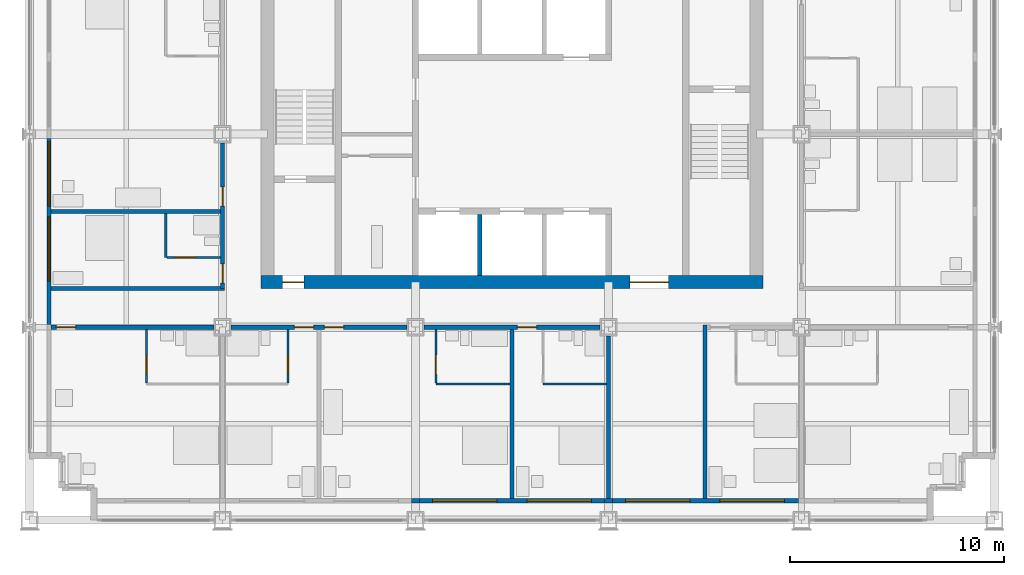
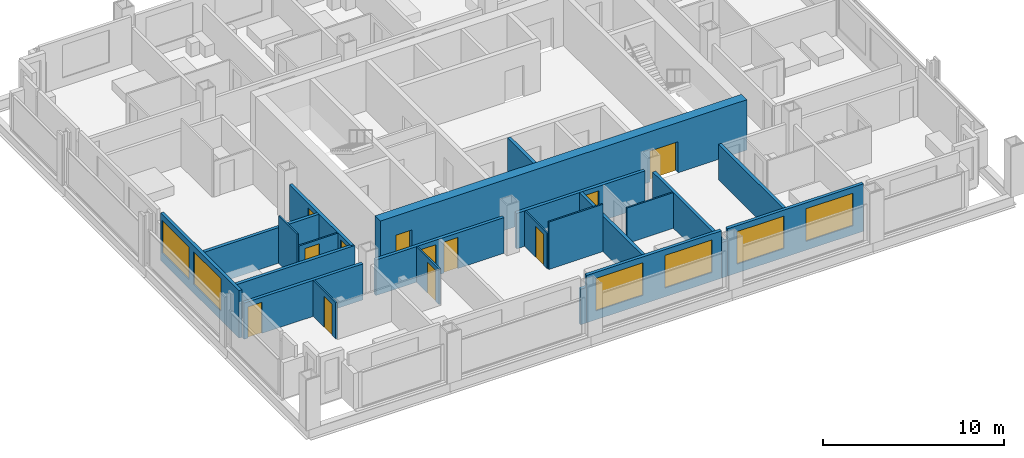
# One storey, part 9 of 16: 23 walls, 12 doors, 6 windows, 18 openings.
"""IFC4 building model written with IfcOpenShell, lengths in metres."""

from ifc_helpers import new_model, si_unit, direction, frame, frame_2d, origin, place, context, subcontext, project, spatial, rectangle, extrude, material, layer, layer_set, type_object, element, fill, save


model = new_model("IFC4")

# Units and contexts
model_context = context("Model", 3, precision=1e-05, world=origin(), true_north=direction((0.0, 1.0)))
body_context = subcontext(model_context, "Body", "Model", "MODEL_VIEW")
ifc_project = project(units=[si_unit("LENGTHUNIT", "METRE"), si_unit("AREAUNIT", "SQUARE_METRE"), si_unit("VOLUMEUNIT", "CUBIC_METRE"), si_unit("PLANEANGLEUNIT", "RADIAN"), si_unit("MASSUNIT", "GRAM", prefix="KILO")], contexts=[model_context])

# Site, building, storey
site_placement = place(None, origin())
site = spatial("IfcSite", under=ifc_project, at=site_placement, CompositionType="ELEMENT")
building_placement = place(site_placement, origin())
building = spatial("IfcBuilding", under=site, at=building_placement, Name="Loomwork Tower", CompositionType="ELEMENT")
storey_placement = place(building_placement, frame((0.0, 0.0, 101.0)))
storey = spatial("IfcBuildingStorey", under=building, at=storey_placement, Name="L26", CompositionType="ELEMENT", Elevation=101.0)

# Wall, openings, doors
ifc_material_1 = material(Name="Concrete 14000 psi (97 MPa)", Category="concrete")
ifc_layer_1 = layer(ifc_material_1, 0.60009765625)
ifc_layer_set_1 = layer_set([ifc_layer_1], Name="Core shear wall 600")
wall_type_1 = type_object("IfcWallType", Name="Core shear wall 600", PredefinedType="SHEAR", material=ifc_layer_set_1)
wall_1_placement = place(storey_placement, frame((10.800048828125, 11.10009765625, 0.0), z_axis=(0.0, 0.0, 1.0), x_axis=(1.0, 0.0, 0.0)))
wall_1 = element("IfcWall", 1, at=wall_1_placement, inside=storey, type_object=wall_type_1, Name="Core wall south L26", PredefinedType="SHEAR", context=body_context, shape_type="SweptSolid", body=[
    extrude(rectangle(XDim=23.39990234375, YDim=0.60009765625, at=frame_2d((11.699951171875, 0.0))), origin(), (0.0, 0.0, 1.0), 3.39990234375),
])
opening_1_placement = place(wall_1_placement, frame((1.0, 0.0, 0.0)))
opening_1 = element("IfcOpeningElement", 2, at=opening_1_placement, cuts=wall_1, Name="Opening D4", PredefinedType="OPENING", context=body_context, shape_type="SweptSolid", body=[
    extrude(rectangle(XDim=1.0, YDim=2.10009765625, at=frame_2d((0.5, 1.050048828125))), frame((0.0, 0.31005859375, 0.0), z_axis=(0.0, -1.0, 0.0), x_axis=(1.0, 0.0, 0.0)), (0.0, 0.0, 1.0), 0.6201171875),
])
opening_2_placement = place(wall_1_placement, frame((17.199951171875, 0.0, 0.0)))
opening_2 = element("IfcOpeningElement", 3, at=opening_2_placement, cuts=wall_1, Name="Opening D6", PredefinedType="OPENING", context=body_context, shape_type="SweptSolid", body=[
    extrude(rectangle(XDim=1.800048828125, YDim=2.10009765625, at=frame_2d((0.89990234375, 1.050048828125))), frame((0.0, 0.31005859375, 0.0), z_axis=(0.0, -1.0, 0.0), x_axis=(1.0, 0.0, 0.0)), (0.0, 0.0, 1.0), 0.6201171875),
])
ifc_material_2 = material(Name="Hollow metal door and frame")
door_type_1 = type_object("IfcDoorType", Name="Lobby passage double door 1800", OperationType="DOUBLE_DOOR_SINGLE_SWING", PredefinedType="DOOR", material=ifc_material_2)
door_1_placement = place(opening_2_placement, origin())
door_1 = element("IfcDoor", 4, at=door_1_placement, inside=storey, type_object=door_type_1, Name="Lobby passage door south", OperationType="DOUBLE_DOOR_SINGLE_SWING", OverallHeight=2.10009765625, OverallWidth=1.800048828125, PredefinedType="DOOR", context=body_context, shape_type="SweptSolid", body=[
    extrude(rectangle(XDim=1.800048828125, YDim=2.10009765625, at=frame_2d((0.89990234375, 1.050048828125))), frame((0.0, 0.02490234375, 0.0), z_axis=(0.0, -1.0, 0.0), x_axis=(1.0, 0.0, 0.0)), (0.0, 0.0, 1.0), 0.050048828125),
])
fill(opening_2, door_1)
ifc_material_3 = material(Name="Hollow metal door and frame")
door_type_2 = type_object("IfcDoorType", Name="Stair door 1000", OperationType="SINGLE_SWING_RIGHT", PredefinedType="DOOR", material=ifc_material_3)
door_2_placement = place(opening_1_placement, origin())
door_2 = element("IfcDoor", 5, at=door_2_placement, inside=storey, type_object=door_type_2, Name="Stair A vestibule door", OperationType="SINGLE_SWING_LEFT", OverallHeight=2.10009765625, OverallWidth=1.0, PredefinedType="DOOR", context=body_context, shape_type="SweptSolid", body=[
    extrude(rectangle(XDim=1.0, YDim=2.10009765625, at=frame_2d((0.5, 1.050048828125))), frame((0.0, 0.02490234375, 0.0), z_axis=(0.0, -1.0, 0.0), x_axis=(1.0, 0.0, 0.0)), (0.0, 0.0, 1.0), 0.050048828125),
])
fill(opening_1, door_2)

# Wall, opening, door
ifc_material_4 = material(Name="Gypsum board on steel studs, one-hour", Category="steel")
ifc_layer_2 = layer(ifc_material_4, 0.199951171875)
ifc_layer_set_2 = layer_set([ifc_layer_2], Name="Corridor wall 200")
wall_type_2 = type_object("IfcWallType", Name="Corridor wall 200", PredefinedType="PARTITIONING", material=ifc_layer_set_2)
wall_2_placement = place(storey_placement, frame((1.0, 9.0, 0.0), z_axis=(0.0, 0.0, 1.0), x_axis=(1.0, 0.0, 0.0)))
wall_2 = element("IfcWall", 6, at=wall_2_placement, inside=storey, type_object=wall_type_2, Name="South corridor wall 1", PredefinedType="PARTITIONING", context=body_context, shape_type="SweptSolid", body=[
    extrude(rectangle(XDim=7.60009765625, YDim=0.199951171875, at=frame_2d((3.800048828125, 0.0))), origin(), (0.0, 0.0, 1.0), 2.43798828125),
])
opening_3_placement = place(wall_2_placement, frame((0.25, 0.0, 0.0)))
opening_3 = element("IfcOpeningElement", 7, at=opening_3_placement, cuts=wall_2, Name="Opening D1", PredefinedType="OPENING", context=body_context, shape_type="SweptSolid", body=[
    extrude(rectangle(XDim=0.89990234375, YDim=2.10009765625, at=frame_2d((0.449951171875, 1.050048828125))), frame((0.0, 0.10986328125, 0.0), z_axis=(0.0, -1.0, 0.0), x_axis=(1.0, 0.0, 0.0)), (0.0, 0.0, 1.0), 0.219970703125),
])
ifc_material_5 = material(Name="Hollow metal door and frame")
door_type_3 = type_object("IfcDoorType", Name="Guest room entry door 900", OperationType="SINGLE_SWING_LEFT", PredefinedType="DOOR", material=ifc_material_5)
door_3_placement = place(opening_3_placement, frame((0.89990234375, 0.0, 0.0), z_axis=(0.0, 0.0, 1.0), x_axis=(-1.0, 0.0, 0.0)))
door_3 = element("IfcDoor", 8, at=door_3_placement, inside=storey, type_object=door_type_3, Name="Guest room entry door L26 1", OperationType="SINGLE_SWING_RIGHT", OverallHeight=2.10009765625, OverallWidth=0.89990234375, PredefinedType="DOOR", context=body_context, shape_type="SweptSolid", body=[
    extrude(rectangle(XDim=0.89990234375, YDim=2.10009765625, at=frame_2d((0.449951171875, 1.050048828125))), frame((0.0, 0.02490234375, 0.0), z_axis=(0.0, -1.0, 0.0), x_axis=(1.0, 0.0, 0.0)), (0.0, 0.0, 1.0), 0.050048828125),
])
fill(opening_3, door_3)

# Wall, openings, doors
wall_3_placement = place(storey_placement, frame((9.39990234375, 9.0, 0.0), z_axis=(0.0, 0.0, 1.0), x_axis=(1.0, 0.0, 0.0)))
wall_3 = element("IfcWall", 9, at=wall_3_placement, inside=storey, type_object=wall_type_2, Name="South corridor wall 2", PredefinedType="PARTITIONING", context=body_context, shape_type="SweptSolid", body=[
    extrude(rectangle(XDim=8.2001953125, YDim=0.199951171875, at=frame_2d((4.10009765625, 0.0))), origin(), (0.0, 0.0, 1.0), 2.405029296875),
])
opening_4_placement = place(wall_3_placement, frame((2.949951171875, 0.0, 0.0)))
opening_4 = element("IfcOpeningElement", 10, at=opening_4_placement, cuts=wall_3, Name="Opening D1", PredefinedType="OPENING", context=body_context, shape_type="SweptSolid", body=[
    extrude(rectangle(XDim=0.89990234375, YDim=2.10009765625, at=frame_2d((0.449951171875, 1.050048828125))), frame((0.0, 0.10986328125, 0.0), z_axis=(0.0, -1.0, 0.0), x_axis=(1.0, 0.0, 0.0)), (0.0, 0.0, 1.0), 0.219970703125),
])
opening_5_placement = place(wall_3_placement, frame((4.35009765625, 0.0, 0.0)))
opening_5 = element("IfcOpeningElement", 11, at=opening_5_placement, cuts=wall_3, Name="Opening D1", PredefinedType="OPENING", context=body_context, shape_type="SweptSolid", body=[
    extrude(rectangle(XDim=0.89990234375, YDim=2.10009765625, at=frame_2d((0.449951171875, 1.050048828125))), frame((0.0, 0.10986328125, 0.0), z_axis=(0.0, -1.0, 0.0), x_axis=(1.0, 0.0, 0.0)), (0.0, 0.0, 1.0), 0.219970703125),
])
door_4_placement = place(opening_4_placement, frame((0.89990234375, 0.0, 0.0), z_axis=(0.0, 0.0, 1.0), x_axis=(-1.0, 0.0, 0.0)))
door_4 = element("IfcDoor", 12, at=door_4_placement, inside=storey, type_object=door_type_3, Name="Guest room entry door L26 2", OperationType="SINGLE_SWING_LEFT", OverallHeight=2.10009765625, OverallWidth=0.89990234375, PredefinedType="DOOR", context=body_context, shape_type="SweptSolid", body=[
    extrude(rectangle(XDim=0.89990234375, YDim=2.10009765625, at=frame_2d((0.449951171875, 1.050048828125))), frame((0.0, 0.02490234375, 0.0), z_axis=(0.0, -1.0, 0.0), x_axis=(1.0, 0.0, 0.0)), (0.0, 0.0, 1.0), 0.050048828125),
])
fill(opening_4, door_4)
door_5_placement = place(opening_5_placement, frame((0.89990234375, 0.0, 0.0), z_axis=(0.0, 0.0, 1.0), x_axis=(-1.0, 0.0, 0.0)))
door_5 = element("IfcDoor", 13, at=door_5_placement, inside=storey, type_object=door_type_3, Name="Guest room entry door L26 3", OperationType="SINGLE_SWING_RIGHT", OverallHeight=2.10009765625, OverallWidth=0.89990234375, PredefinedType="DOOR", context=body_context, shape_type="SweptSolid", body=[
    extrude(rectangle(XDim=0.89990234375, YDim=2.10009765625, at=frame_2d((0.449951171875, 1.050048828125))), frame((0.0, 0.02490234375, 0.0), z_axis=(0.0, -1.0, 0.0), x_axis=(1.0, 0.0, 0.0)), (0.0, 0.0, 1.0), 0.050048828125),
])
fill(opening_5, door_5)

# Wall, opening, door
wall_4_placement = place(storey_placement, frame((18.39990234375, 9.0, 0.0), z_axis=(0.0, 0.0, 1.0), x_axis=(1.0, 0.0, 0.0)))
wall_4 = element("IfcWall", 14, at=wall_4_placement, inside=storey, type_object=wall_type_2, Name="South corridor wall 3", PredefinedType="PARTITIONING", context=body_context, shape_type="SweptSolid", body=[
    extrude(rectangle(XDim=8.2001953125, YDim=0.199951171875, at=frame_2d((4.10009765625, 0.0))), origin(), (0.0, 0.0, 1.0), 2.405029296875),
])
opening_6_placement = place(wall_4_placement, frame((4.35009765625, 0.0, 0.0)))
opening_6 = element("IfcOpeningElement", 15, at=opening_6_placement, cuts=wall_4, Name="Opening D1", PredefinedType="OPENING", context=body_context, shape_type="SweptSolid", body=[
    extrude(rectangle(XDim=0.89990234375, YDim=2.10009765625, at=frame_2d((0.449951171875, 1.050048828125))), frame((0.0, 0.10986328125, 0.0), z_axis=(0.0, -1.0, 0.0), x_axis=(1.0, 0.0, 0.0)), (0.0, 0.0, 1.0), 0.219970703125),
])
door_6_placement = place(opening_6_placement, frame((0.89990234375, 0.0, 0.0), z_axis=(0.0, 0.0, 1.0), x_axis=(-1.0, 0.0, 0.0)))
door_6 = element("IfcDoor", 16, at=door_6_placement, inside=storey, type_object=door_type_3, Name="Guest room entry door L26 4", OperationType="SINGLE_SWING_RIGHT", OverallHeight=2.10009765625, OverallWidth=0.89990234375, PredefinedType="DOOR", context=body_context, shape_type="SweptSolid", body=[
    extrude(rectangle(XDim=0.89990234375, YDim=2.10009765625, at=frame_2d((0.449951171875, 1.050048828125))), frame((0.0, 0.02490234375, 0.0), z_axis=(0.0, -1.0, 0.0), x_axis=(1.0, 0.0, 0.0)), (0.0, 0.0, 1.0), 0.050048828125),
])
fill(opening_6, door_6)

# Wall, openings, doors
wall_5_placement = place(storey_placement, frame((9.0, 10.800048828125, 0.0), z_axis=(0.0, 0.0, 1.0), x_axis=(0.0, 1.0, 0.0)))
wall_5 = element("IfcWall", 17, at=wall_5_placement, inside=storey, type_object=wall_type_2, Name="West corridor wall 1", PredefinedType="PARTITIONING", context=body_context, shape_type="SweptSolid", body=[
    extrude(rectangle(XDim=6.800048828125, YDim=0.199951171875, at=frame_2d((3.39990234375, 0.0))), origin(), (0.0, 0.0, 1.0), 2.405029296875),
])
opening_7_placement = place(wall_5_placement, frame((0.25, 0.0, 0.0)))
opening_7 = element("IfcOpeningElement", 18, at=opening_7_placement, cuts=wall_5, Name="Opening D1", PredefinedType="OPENING", context=body_context, shape_type="SweptSolid", body=[
    extrude(rectangle(XDim=0.89990234375, YDim=2.10009765625, at=frame_2d((0.449951171875, 1.050048828125))), frame((0.0, 0.10986328125, 0.0), z_axis=(0.0, -1.0, 0.0), x_axis=(1.0, 0.0, 0.0)), (0.0, 0.0, 1.0), 0.219970703125),
])
opening_8_placement = place(wall_5_placement, frame((3.85009765625, 0.0, 0.0)))
opening_8 = element("IfcOpeningElement", 19, at=opening_8_placement, cuts=wall_5, Name="Opening D1", PredefinedType="OPENING", context=body_context, shape_type="SweptSolid", body=[
    extrude(rectangle(XDim=0.89990234375, YDim=2.10009765625, at=frame_2d((0.449951171875, 1.050048828125))), frame((0.0, 0.10986328125, 0.0), z_axis=(0.0, -1.0, 0.0), x_axis=(1.0, 0.0, 0.0)), (0.0, 0.0, 1.0), 0.219970703125),
])
door_7_placement = place(opening_7_placement, origin())
door_7 = element("IfcDoor", 20, at=door_7_placement, inside=storey, type_object=door_type_3, Name="Guest room entry door L26 14", OperationType="SINGLE_SWING_LEFT", OverallHeight=2.10009765625, OverallWidth=0.89990234375, PredefinedType="DOOR", context=body_context, shape_type="SweptSolid", body=[
    extrude(rectangle(XDim=0.89990234375, YDim=2.10009765625, at=frame_2d((0.449951171875, 1.050048828125))), frame((0.0, 0.02490234375, 0.0), z_axis=(0.0, -1.0, 0.0), x_axis=(1.0, 0.0, 0.0)), (0.0, 0.0, 1.0), 0.050048828125),
])
fill(opening_7, door_7)
door_8_placement = place(opening_8_placement, origin())
door_8 = element("IfcDoor", 21, at=door_8_placement, inside=storey, type_object=door_type_3, Name="Guest room entry door L26 15", OperationType="SINGLE_SWING_LEFT", OverallHeight=2.10009765625, OverallWidth=0.89990234375, PredefinedType="DOOR", context=body_context, shape_type="SweptSolid", body=[
    extrude(rectangle(XDim=0.89990234375, YDim=2.10009765625, at=frame_2d((0.449951171875, 1.050048828125))), frame((0.0, 0.02490234375, 0.0), z_axis=(0.0, -1.0, 0.0), x_axis=(1.0, 0.0, 0.0)), (0.0, 0.0, 1.0), 0.050048828125),
])
fill(opening_8, door_8)

# Wall
wall_6_placement = place(storey_placement, frame((1.0, 10.800048828125, 0.0), z_axis=(0.0, 0.0, 1.0), x_axis=(1.0, 0.0, 0.0)))
element("IfcWall", 22, at=wall_6_placement, inside=storey, type_object=wall_type_2, Name="West band end wall S", PredefinedType="PARTITIONING", context=body_context, shape_type="SweptSolid", body=[
    extrude(rectangle(XDim=8.10009765625, YDim=0.199951171875, at=frame_2d((4.050048828125, 0.0))), origin(), (0.0, 0.0, 1.0), 2.404052734375),
])

# Wall, opening, door
ifc_material_6 = material(Name="Cement board on steel studs", Category="steel")
ifc_layer_3 = layer(ifc_material_6, 0.10009765625)
ifc_layer_set_3 = layer_set([ifc_layer_3], Name="En-suite partition 100")
wall_type_3 = type_object("IfcWallType", Name="En-suite partition 100", PredefinedType="PARTITIONING", material=ifc_layer_set_3)
wall_7_placement = place(storey_placement, frame((5.449951171875, 8.89990234375, 0.0), z_axis=(0.0, 0.0, 1.0), x_axis=(0.0, -1.0, 0.0)))
wall_7 = element("IfcWall", 23, at=wall_7_placement, inside=storey, type_object=wall_type_3, Name="En-suite side wall L26 room 1", PredefinedType="PARTITIONING", context=body_context, shape_type="SweptSolid", body=[
    extrude(rectangle(XDim=2.5, YDim=0.10009765625, at=frame_2d((1.25, 0.0))), origin(), (0.0, 0.0, 1.0), 2.43798828125),
])
opening_9_placement = place(wall_7_placement, frame((1.199951171875, 0.0, 0.0)))
opening_9 = element("IfcOpeningElement", 24, at=opening_9_placement, cuts=wall_7, Name="Opening D3", PredefinedType="OPENING", context=body_context, shape_type="SweptSolid", body=[
    extrude(rectangle(XDim=0.89990234375, YDim=2.10009765625, at=frame_2d((0.449951171875, 1.050048828125))), frame((0.0, 0.06005859375, 0.0), z_axis=(0.0, -1.0, 0.0), x_axis=(1.0, 0.0, 0.0)), (0.0, 0.0, 1.0), 0.1201171875),
])
ifc_material_7 = material(Name="Hollow metal door and frame")
door_type_4 = type_object("IfcDoorType", Name="Accessible en-suite door 900", OperationType="SLIDING_TO_LEFT", PredefinedType="DOOR", material=ifc_material_7)
door_9_placement = place(opening_9_placement, origin())
door_9 = element("IfcDoor", 25, at=door_9_placement, inside=storey, type_object=door_type_4, Name="Accessible en-suite door room 1", OperationType="SLIDING_TO_LEFT", OverallHeight=2.10009765625, OverallWidth=0.89990234375, PredefinedType="DOOR", context=body_context, shape_type="SweptSolid", body=[
    extrude(rectangle(XDim=0.89990234375, YDim=2.10009765625, at=frame_2d((0.449951171875, 1.050048828125))), frame((0.0, 0.02490234375, 0.0), z_axis=(0.0, -1.0, 0.0), x_axis=(1.0, 0.0, 0.0)), (0.0, 0.0, 1.0), 0.050048828125),
])
fill(opening_9, door_9)

wall_8_placement = place(storey_placement, frame((12.050048828125, 8.89990234375, 0.0), z_axis=(0.0, 0.0, 1.0), x_axis=(0.0, -1.0, 0.0)))
wall_8 = element("IfcWall", 26, at=wall_8_placement, inside=storey, type_object=wall_type_3, Name="En-suite side wall L26 room 2", PredefinedType="PARTITIONING", context=body_context, shape_type="SweptSolid", body=[
    extrude(rectangle(XDim=2.5, YDim=0.10009765625, at=frame_2d((1.25, 0.0))), origin(), (0.0, 0.0, 1.0), 2.404052734375),
])
opening_10_placement = place(wall_8_placement, frame((1.199951171875, 0.0, 0.0)))
opening_10 = element("IfcOpeningElement", 27, at=opening_10_placement, cuts=wall_8, Name="Opening D3", PredefinedType="OPENING", context=body_context, shape_type="SweptSolid", body=[
    extrude(rectangle(XDim=0.89990234375, YDim=2.10009765625, at=frame_2d((0.449951171875, 1.050048828125))), frame((0.0, 0.06005859375, 0.0), z_axis=(0.0, -1.0, 0.0), x_axis=(1.0, 0.0, 0.0)), (0.0, 0.0, 1.0), 0.1201171875),
])
door_10_placement = place(opening_10_placement, origin())
door_10 = element("IfcDoor", 28, at=door_10_placement, inside=storey, type_object=door_type_4, Name="Accessible en-suite door room 2", OperationType="SLIDING_TO_LEFT", OverallHeight=2.10009765625, OverallWidth=0.89990234375, PredefinedType="DOOR", context=body_context, shape_type="SweptSolid", body=[
    extrude(rectangle(XDim=0.89990234375, YDim=2.10009765625, at=frame_2d((0.449951171875, 1.050048828125))), frame((0.0, 0.02490234375, 0.0), z_axis=(0.0, -1.0, 0.0), x_axis=(1.0, 0.0, 0.0)), (0.0, 0.0, 1.0), 0.050048828125),
])
fill(opening_10, door_10)

# Wall
wall_9_placement = place(storey_placement, frame((18.949951171875, 6.35009765625, 0.0), z_axis=(0.0, 0.0, 1.0), x_axis=(1.0, 0.0, 0.0)))
element("IfcWall", 29, at=wall_9_placement, inside=storey, type_object=wall_type_3, Name="En-suite wall L26 room 3", PredefinedType="PARTITIONING", context=body_context, shape_type="SweptSolid", body=[
    extrude(rectangle(XDim=3.449951171875, YDim=0.10009765625, at=frame_2d((1.72509765625, 0.0))), origin(), (0.0, 0.0, 1.0), 3.199951171875),
])

# Wall, opening, door
wall_10_placement = place(storey_placement, frame((18.949951171875, 8.89990234375, 0.0), z_axis=(0.0, 0.0, 1.0), x_axis=(0.0, -1.0, 0.0)))
wall_10 = element("IfcWall", 30, at=wall_10_placement, inside=storey, type_object=wall_type_3, Name="En-suite side wall L26 room 3", PredefinedType="PARTITIONING", context=body_context, shape_type="SweptSolid", body=[
    extrude(rectangle(XDim=2.5, YDim=0.10009765625, at=frame_2d((1.25, 0.0))), origin(), (0.0, 0.0, 1.0), 2.404052734375),
])
opening_11_placement = place(wall_10_placement, frame((1.199951171875, 0.0, 0.0)))
opening_11 = element("IfcOpeningElement", 31, at=opening_11_placement, cuts=wall_10, Name="Opening D2", PredefinedType="OPENING", context=body_context, shape_type="SweptSolid", body=[
    extrude(rectangle(XDim=0.89990234375, YDim=2.10009765625, at=frame_2d((0.449951171875, 1.050048828125))), frame((0.0, 0.06005859375, 0.0), z_axis=(0.0, -1.0, 0.0), x_axis=(1.0, 0.0, 0.0)), (0.0, 0.0, 1.0), 0.1201171875),
])
ifc_material_8 = material(Name="Hollow metal door and frame")
door_type_5 = type_object("IfcDoorType", Name="En-suite door 900", OperationType="SINGLE_SWING_LEFT", PredefinedType="DOOR", material=ifc_material_8)
door_11_placement = place(opening_11_placement, origin())
door_11 = element("IfcDoor", 32, at=door_11_placement, inside=storey, type_object=door_type_5, Name="En-suite door room 3", OperationType="SINGLE_SWING_RIGHT", OverallHeight=2.10009765625, OverallWidth=0.89990234375, PredefinedType="DOOR", context=body_context, shape_type="SweptSolid", body=[
    extrude(rectangle(XDim=0.89990234375, YDim=2.10009765625, at=frame_2d((0.449951171875, 1.050048828125))), frame((0.0, 0.02490234375, 0.0), z_axis=(0.0, -1.0, 0.0), x_axis=(1.0, 0.0, 0.0)), (0.0, 0.0, 1.0), 0.050048828125),
])
fill(opening_11, door_11)

# Walls
wall_11_placement = place(storey_placement, frame((23.949951171875, 6.35009765625, 0.0), z_axis=(0.0, 0.0, 1.0), x_axis=(1.0, 0.0, 0.0)))
element("IfcWall", 33, at=wall_11_placement, inside=storey, type_object=wall_type_3, Name="En-suite wall L26 room 4", PredefinedType="PARTITIONING", context=body_context, shape_type="SweptSolid", body=[
    extrude(rectangle(XDim=2.949951171875, YDim=0.10009765625, at=frame_2d((1.47509765625, 0.0))), origin(), (0.0, 0.0, 1.0), 2.404052734375),
])
wall_12_placement = place(storey_placement, frame((6.35009765625, 12.25, 0.0), z_axis=(0.0, 0.0, 1.0), x_axis=(0.0, 1.0, 0.0)))
element("IfcWall", 34, at=wall_12_placement, inside=storey, type_object=wall_type_3, Name="En-suite wall L26 room 14", PredefinedType="PARTITIONING", context=body_context, shape_type="SweptSolid", body=[
    extrude(rectangle(XDim=2.050048828125, YDim=0.10009765625, at=frame_2d((1.02490234375, 0.0))), origin(), (0.0, 0.0, 1.0), 3.199951171875),
])

# Wall, opening, door
wall_13_placement = place(storey_placement, frame((8.89990234375, 12.25, 0.0), z_axis=(0.0, 0.0, 1.0), x_axis=(-1.0, 0.0, 0.0)))
wall_13 = element("IfcWall", 35, at=wall_13_placement, inside=storey, type_object=wall_type_3, Name="En-suite side wall L26 room 14", PredefinedType="PARTITIONING", context=body_context, shape_type="SweptSolid", body=[
    extrude(rectangle(XDim=2.5, YDim=0.10009765625, at=frame_2d((1.25, 0.0))), origin(), (0.0, 0.0, 1.0), 2.404052734375),
])
opening_12_placement = place(wall_13_placement, frame((1.199951171875, 0.0, 0.0)))
opening_12 = element("IfcOpeningElement", 36, at=opening_12_placement, cuts=wall_13, Name="Opening D2", PredefinedType="OPENING", context=body_context, shape_type="SweptSolid", body=[
    extrude(rectangle(XDim=0.89990234375, YDim=2.10009765625, at=frame_2d((0.449951171875, 1.050048828125))), frame((0.0, 0.06005859375, 0.0), z_axis=(0.0, -1.0, 0.0), x_axis=(1.0, 0.0, 0.0)), (0.0, 0.0, 1.0), 0.1201171875),
])
door_12_placement = place(opening_12_placement, frame((0.89990234375, 0.0, 0.0), z_axis=(0.0, 0.0, 1.0), x_axis=(-1.0, 0.0, 0.0)))
door_12 = element("IfcDoor", 37, at=door_12_placement, inside=storey, type_object=door_type_5, Name="En-suite door room 14", OperationType="SINGLE_SWING_LEFT", OverallHeight=2.10009765625, OverallWidth=0.89990234375, PredefinedType="DOOR", context=body_context, shape_type="SweptSolid", body=[
    extrude(rectangle(XDim=0.89990234375, YDim=2.10009765625, at=frame_2d((0.449951171875, 1.050048828125))), frame((0.0, 0.02490234375, 0.0), z_axis=(0.0, -1.0, 0.0), x_axis=(1.0, 0.0, 0.0)), (0.0, 0.0, 1.0), 0.050048828125),
])
fill(opening_12, door_12)

# Walls
ifc_material_9 = material(Name="Gypsum board on steel studs, acoustic", Category="steel")
ifc_layer_4 = layer(ifc_material_9, 0.199951171875)
ifc_layer_set_4 = layer_set([ifc_layer_4], Name="Guest room party wall 200")
wall_type_4 = type_object("IfcWallType", Name="Guest room party wall 200", PredefinedType="PARTITIONING", material=ifc_layer_set_4)
wall_14_placement = place(storey_placement, frame((22.5, 8.89990234375, 0.0), z_axis=(0.0, 0.0, 1.0), x_axis=(0.0, -1.0, 0.0)))
element("IfcWall", 38, at=wall_14_placement, inside=storey, type_object=wall_type_4, Name="Guest room party wall S 22.5", PredefinedType="PARTITIONING", context=body_context, shape_type="SweptSolid", body=[
    extrude(rectangle(XDim=7.89990234375, YDim=0.199951171875, at=frame_2d((3.949951171875, 0.0))), origin(), (0.0, 0.0, 1.0), 2.404052734375),
])
wall_15_placement = place(storey_placement, frame((27.0, 8.60009765625, 0.0), z_axis=(0.0, 0.0, 1.0), x_axis=(0.0, -1.0, 0.0)))
element("IfcWall", 39, at=wall_15_placement, inside=storey, type_object=wall_type_4, Name="Guest room party wall S 27", PredefinedType="PARTITIONING", context=body_context, shape_type="SweptSolid", body=[
    extrude(rectangle(XDim=7.60009765625, YDim=0.199951171875, at=frame_2d((3.800048828125, 0.0))), origin(), (0.0, 0.0, 1.0), 2.405029296875),
])
wall_16_placement = place(storey_placement, frame((31.5, 9.10009765625, 0.0), z_axis=(0.0, 0.0, 1.0), x_axis=(0.0, -1.0, 0.0)))
element("IfcWall", 40, at=wall_16_placement, inside=storey, type_object=wall_type_4, Name="Guest room party wall S 31.5", PredefinedType="PARTITIONING", context=body_context, shape_type="SweptSolid", body=[
    extrude(rectangle(XDim=8.10009765625, YDim=0.199951171875, at=frame_2d((4.050048828125, 0.0))), origin(), (0.0, 0.0, 1.0), 2.404052734375),
])
wall_17_placement = place(storey_placement, frame((8.89990234375, 14.39990234375, 0.0), z_axis=(0.0, 0.0, 1.0), x_axis=(-1.0, 0.0, 0.0)))
element("IfcWall", 41, at=wall_17_placement, inside=storey, type_object=wall_type_4, Name="Guest room party wall W 14.4", PredefinedType="PARTITIONING", context=body_context, shape_type="SweptSolid", body=[
    extrude(rectangle(XDim=7.89990234375, YDim=0.199951171875, at=frame_2d((3.949951171875, 0.0))), origin(), (0.0, 0.0, 1.0), 2.404052734375),
])
ifc_material_10 = material(Name="Insulated steel stud wall with gypsum lining", Category="steel")
ifc_layer_5 = layer(ifc_material_10, 0.199951171875)
ifc_layer_set_5 = layer_set([ifc_layer_5], Name="Inner skin wall 200")
wall_type_5 = type_object("IfcWallType", Name="Inner skin wall 200", PredefinedType="SOLIDWALL", material=ifc_layer_set_5)
wall_18_placement = place(storey_placement, frame((17.80615234375, 0.89990234375, 0.0), z_axis=(0.0, 0.0, 1.0), x_axis=(1.0, 0.0, 0.0)))
element("IfcWall", 42, at=wall_18_placement, inside=storey, type_object=wall_type_5, Name="Inner skin wall S bay 4", PredefinedType="SOLIDWALL", context=body_context, shape_type="SweptSolid", body=[
    extrude(rectangle(XDim=0.3876953125, YDim=0.199951171875, at=frame_2d((0.19384765625, 0.0))), origin(), (0.0, 0.0, 1.0), 2.404052734375),
])

# Wall, openings, windows
wall_19_placement = place(storey_placement, frame((18.19384765625, 0.89990234375, 0.0), z_axis=(0.0, 0.0, 1.0), x_axis=(1.0, 0.0, 0.0)))
wall_19 = element("IfcWall", 43, at=wall_19_placement, inside=storey, type_object=wall_type_5, Name="Inner skin wall S bay 5", PredefinedType="SOLIDWALL", context=body_context, shape_type="SweptSolid", body=[
    extrude(rectangle(XDim=8.6123046875, YDim=0.199951171875, at=frame_2d((4.30615234375, 0.0))), origin(), (0.0, 0.0, 1.0), 3.199951171875),
])
opening_13_placement = place(wall_19_placement, frame((0.606201171875, 0.0, 0.60009765625)))
opening_13 = element("IfcOpeningElement", 44, at=opening_13_placement, cuts=wall_19, Name="Opening CH1", PredefinedType="OPENING", context=body_context, shape_type="SweptSolid", body=[
    extrude(rectangle(XDim=3.0, YDim=2.199951171875, at=frame_2d((1.5, 1.10009765625))), frame((0.0, 0.10986328125, 0.0), z_axis=(0.0, -1.0, 0.0), x_axis=(1.0, 0.0, 0.0)), (0.0, 0.0, 1.0), 0.219970703125),
])
opening_14_placement = place(wall_19_placement, frame((5.006103515625, 0.0, 0.60009765625)))
opening_14 = element("IfcOpeningElement", 45, at=opening_14_placement, cuts=wall_19, Name="Opening CH1", PredefinedType="OPENING", context=body_context, shape_type="SweptSolid", body=[
    extrude(rectangle(XDim=3.0, YDim=2.199951171875, at=frame_2d((1.5, 1.10009765625))), frame((0.0, 0.10986328125, 0.0), z_axis=(0.0, -1.0, 0.0), x_axis=(1.0, 0.0, 0.0)), (0.0, 0.0, 1.0), 0.219970703125),
])
ifc_material_11 = material(Name="Aluminium frame with clear insulated glass", Category="aluminium")
window_type = type_object("IfcWindowType", Name="Chicago window 3000", PartitioningType="TRIPLE_PANEL_VERTICAL", PredefinedType="WINDOW", material=ifc_material_11)
window_1_placement = place(opening_13_placement, origin())
window_1 = element("IfcWindow", 46, at=window_1_placement, inside=storey, type_object=window_type, Name="Chicago window L26 bay 3", OverallHeight=2.199951171875, OverallWidth=3.0, PartitioningType="TRIPLE_PANEL_VERTICAL", PredefinedType="WINDOW", context=body_context, shape_type="SweptSolid", body=[
    extrude(rectangle(XDim=3.0, YDim=2.199951171875, at=frame_2d((1.5, 1.10009765625))), frame((0.0, 0.030029296875, 0.0), z_axis=(0.0, -1.0, 0.0), x_axis=(1.0, 0.0, 0.0)), (0.0, 0.0, 1.0), 0.06005859375),
])
fill(opening_13, window_1)
window_2_placement = place(opening_14_placement, origin())
window_2 = element("IfcWindow", 47, at=window_2_placement, inside=storey, type_object=window_type, Name="Chicago window L26 bay 3", OverallHeight=2.199951171875, OverallWidth=3.0, PartitioningType="TRIPLE_PANEL_VERTICAL", PredefinedType="WINDOW", context=body_context, shape_type="SweptSolid", body=[
    extrude(rectangle(XDim=3.0, YDim=2.199951171875, at=frame_2d((1.5, 1.10009765625))), frame((0.0, 0.030029296875, 0.0), z_axis=(0.0, -1.0, 0.0), x_axis=(1.0, 0.0, 0.0)), (0.0, 0.0, 1.0), 0.06005859375),
])
fill(opening_14, window_2)

# Wall
wall_20_placement = place(storey_placement, frame((26.80615234375, 0.89990234375, 0.0), z_axis=(0.0, 0.0, 1.0), x_axis=(1.0, 0.0, 0.0)))
element("IfcWall", 48, at=wall_20_placement, inside=storey, type_object=wall_type_5, Name="Inner skin wall S bay 6", PredefinedType="SOLIDWALL", context=body_context, shape_type="SweptSolid", body=[
    extrude(rectangle(XDim=0.3876953125, YDim=0.199951171875, at=frame_2d((0.19384765625, 0.0))), origin(), (0.0, 0.0, 1.0), 2.404052734375),
])

# Wall, openings, windows
wall_21_placement = place(storey_placement, frame((27.19384765625, 0.89990234375, 0.0), z_axis=(0.0, 0.0, 1.0), x_axis=(1.0, 0.0, 0.0)))
wall_21 = element("IfcWall", 49, at=wall_21_placement, inside=storey, type_object=wall_type_5, Name="Inner skin wall S bay 7", PredefinedType="SOLIDWALL", context=body_context, shape_type="SweptSolid", body=[
    extrude(rectangle(XDim=8.670654296875, YDim=0.199951171875, at=frame_2d((4.33544921875, 0.0))), origin(), (0.0, 0.0, 1.0), 3.199951171875),
])
opening_15_placement = place(wall_21_placement, frame((0.606201171875, 0.0, 0.60009765625)))
opening_15 = element("IfcOpeningElement", 50, at=opening_15_placement, cuts=wall_21, Name="Opening CH1", PredefinedType="OPENING", context=body_context, shape_type="SweptSolid", body=[
    extrude(rectangle(XDim=3.0, YDim=2.199951171875, at=frame_2d((1.5, 1.10009765625))), frame((0.0, 0.10986328125, 0.0), z_axis=(0.0, -1.0, 0.0), x_axis=(1.0, 0.0, 0.0)), (0.0, 0.0, 1.0), 0.219970703125),
])
opening_16_placement = place(wall_21_placement, frame((5.006103515625, 0.0, 0.60009765625)))
opening_16 = element("IfcOpeningElement", 51, at=opening_16_placement, cuts=wall_21, Name="Opening CH1", PredefinedType="OPENING", context=body_context, shape_type="SweptSolid", body=[
    extrude(rectangle(XDim=3.0, YDim=2.199951171875, at=frame_2d((1.5, 1.10009765625))), frame((0.0, 0.10986328125, 0.0), z_axis=(0.0, -1.0, 0.0), x_axis=(1.0, 0.0, 0.0)), (0.0, 0.0, 1.0), 0.219970703125),
])
window_3_placement = place(opening_15_placement, origin())
window_3 = element("IfcWindow", 52, at=window_3_placement, inside=storey, type_object=window_type, Name="Chicago window L26 bay 4", OverallHeight=2.199951171875, OverallWidth=3.0, PartitioningType="TRIPLE_PANEL_VERTICAL", PredefinedType="WINDOW", context=body_context, shape_type="SweptSolid", body=[
    extrude(rectangle(XDim=3.0, YDim=2.199951171875, at=frame_2d((1.5, 1.10009765625))), frame((0.0, 0.030029296875, 0.0), z_axis=(0.0, -1.0, 0.0), x_axis=(1.0, 0.0, 0.0)), (0.0, 0.0, 1.0), 0.06005859375),
])
fill(opening_15, window_3)
window_4_placement = place(opening_16_placement, origin())
window_4 = element("IfcWindow", 53, at=window_4_placement, inside=storey, type_object=window_type, Name="Chicago window L26 bay 4", OverallHeight=2.199951171875, OverallWidth=3.0, PartitioningType="TRIPLE_PANEL_VERTICAL", PredefinedType="WINDOW", context=body_context, shape_type="SweptSolid", body=[
    extrude(rectangle(XDim=3.0, YDim=2.199951171875, at=frame_2d((1.5, 1.10009765625))), frame((0.0, 0.030029296875, 0.0), z_axis=(0.0, -1.0, 0.0), x_axis=(1.0, 0.0, 0.0)), (0.0, 0.0, 1.0), 0.06005859375),
])
fill(opening_16, window_4)

wall_22_placement = place(storey_placement, frame((0.89990234375, 9.13525390625, 0.0), z_axis=(0.0, 0.0, 1.0), x_axis=(0.0, 1.0, 0.0)))
wall_22 = element("IfcWall", 54, at=wall_22_placement, inside=storey, type_object=wall_type_5, Name="Inner skin wall W bay 5", PredefinedType="SOLIDWALL", context=body_context, shape_type="SweptSolid", body=[
    extrude(rectangle(XDim=8.6708984375, YDim=0.199951171875, at=frame_2d((4.33544921875, 0.0))), origin(), (0.0, 0.0, 1.0), 3.199951171875),
])
opening_17_placement = place(wall_22_placement, frame((2.0146484375, 0.0, 0.60009765625)))
opening_17 = element("IfcOpeningElement", 55, at=opening_17_placement, cuts=wall_22, Name="Opening CH1", PredefinedType="OPENING", context=body_context, shape_type="SweptSolid", body=[
    extrude(rectangle(XDim=3.0, YDim=2.199951171875, at=frame_2d((1.5, 1.10009765625))), frame((0.0, 0.10986328125, 0.0), z_axis=(0.0, -1.0, 0.0), x_axis=(1.0, 0.0, 0.0)), (0.0, 0.0, 1.0), 0.219970703125),
])
opening_18_placement = place(wall_22_placement, frame((5.5146484375, 0.0, 0.60009765625)))
opening_18 = element("IfcOpeningElement", 56, at=opening_18_placement, cuts=wall_22, Name="Opening CH1", PredefinedType="OPENING", context=body_context, shape_type="SweptSolid", body=[
    extrude(rectangle(XDim=3.0, YDim=2.199951171875, at=frame_2d((1.5, 1.10009765625))), frame((0.0, 0.10986328125, 0.0), z_axis=(0.0, -1.0, 0.0), x_axis=(1.0, 0.0, 0.0)), (0.0, 0.0, 1.0), 0.219970703125),
])
window_5_placement = place(opening_17_placement, origin())
window_5 = element("IfcWindow", 57, at=window_5_placement, inside=storey, type_object=window_type, Name="Chicago window L26 bay 11", OverallHeight=2.199951171875, OverallWidth=3.0, PartitioningType="TRIPLE_PANEL_VERTICAL", PredefinedType="WINDOW", context=body_context, shape_type="SweptSolid", body=[
    extrude(rectangle(XDim=3.0, YDim=2.199951171875, at=frame_2d((1.5, 1.10009765625))), frame((0.0, 0.030029296875, 0.0), z_axis=(0.0, -1.0, 0.0), x_axis=(1.0, 0.0, 0.0)), (0.0, 0.0, 1.0), 0.06005859375),
])
fill(opening_17, window_5)
window_6_placement = place(opening_18_placement, origin())
window_6 = element("IfcWindow", 58, at=window_6_placement, inside=storey, type_object=window_type, Name="Chicago window L26 bay 11", OverallHeight=2.199951171875, OverallWidth=3.0, PartitioningType="TRIPLE_PANEL_VERTICAL", PredefinedType="WINDOW", context=body_context, shape_type="SweptSolid", body=[
    extrude(rectangle(XDim=3.0, YDim=2.199951171875, at=frame_2d((1.5, 1.10009765625))), frame((0.0, 0.030029296875, 0.0), z_axis=(0.0, -1.0, 0.0), x_axis=(1.0, 0.0, 0.0)), (0.0, 0.0, 1.0), 0.06005859375),
])
fill(opening_18, window_6)

# Wall
ifc_material_12 = material(Name="Concrete 14000 psi (97 MPa)", Category="concrete")
ifc_layer_6 = layer(ifc_material_12, 0.199951171875)
ifc_layer_set_6 = layer_set([ifc_layer_6], Name="Lift shaft wall 200")
wall_type_6 = type_object("IfcWallType", Name="Lift shaft wall 200", PredefinedType="SHEAR", material=ifc_layer_set_6)
wall_23_placement = place(storey_placement, frame((21.0, 11.39990234375, 0.0), z_axis=(0.0, 0.0, 1.0), x_axis=(0.0, 1.0, 0.0)))
element("IfcWall", 59, at=wall_23_placement, inside=storey, type_object=wall_type_6, Name="Lift shaft separation wall south 1 L26", PredefinedType="SHEAR", context=body_context, shape_type="SweptSolid", body=[
    extrude(rectangle(XDim=2.85009765625, YDim=0.199951171875, at=frame_2d((1.425048828125, 0.0))), origin(), (0.0, 0.0, 1.0), 3.39990234375),
])

save(model, "model.ifc")
